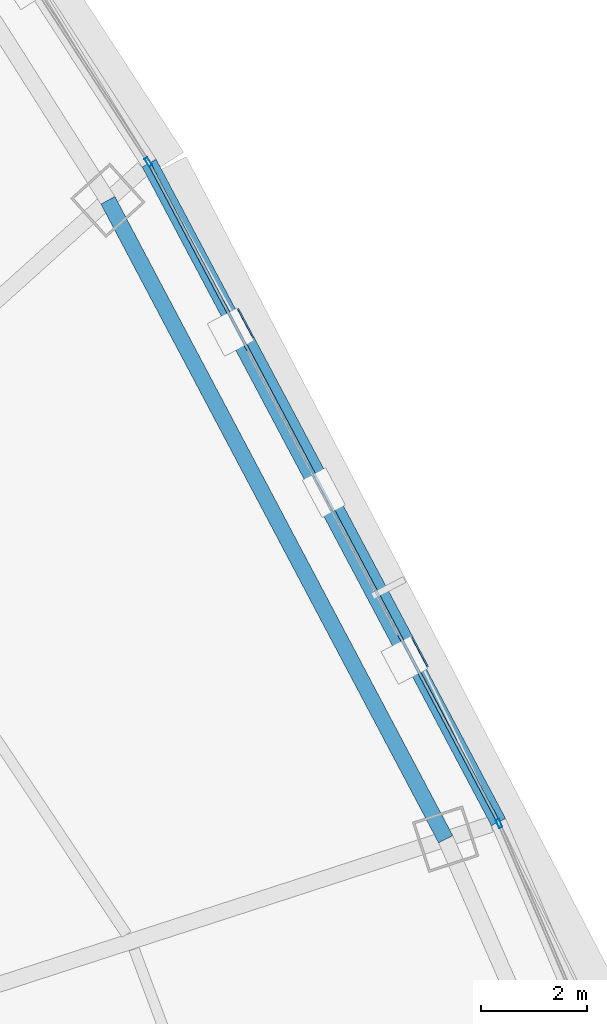
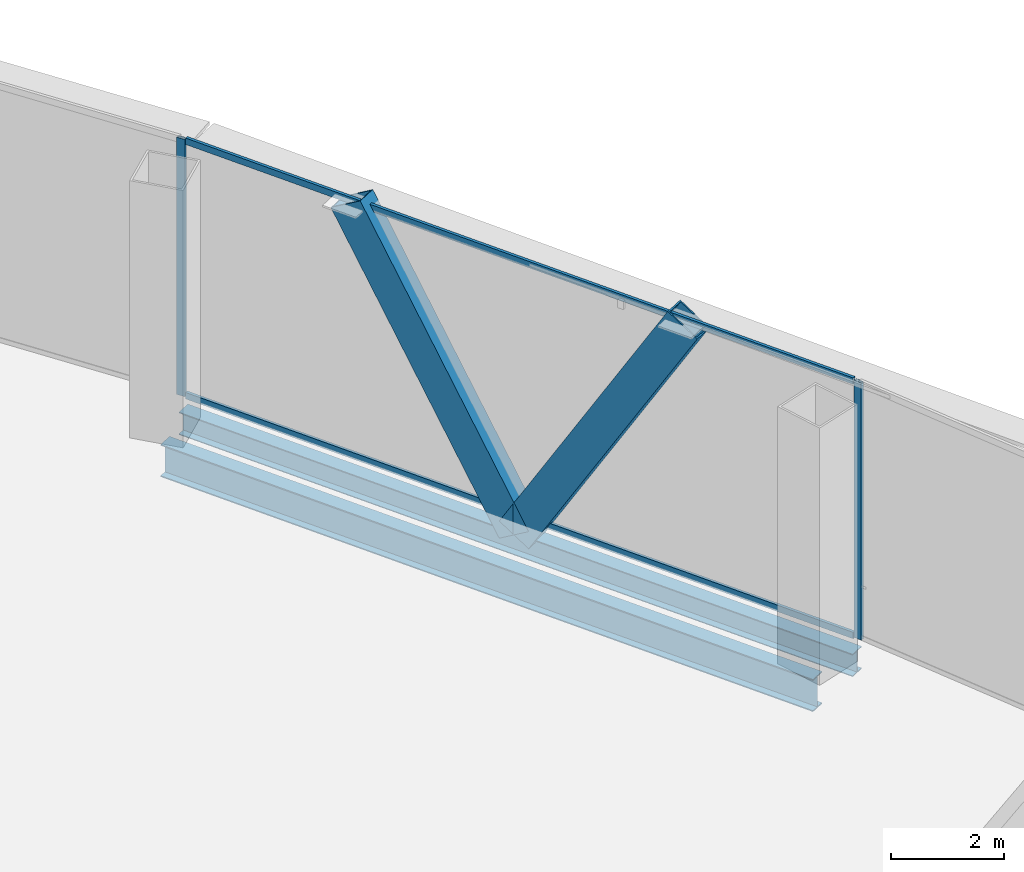
# One storey, part 23 of 36: 6 members, 2 beams, 3 elements without a shape of their own.
"""IFC4 building model written with IfcOpenShell, lengths in metres."""

from ifc_helpers import new_model, si_unit, direction, frame, origin, origin_2d, place, context, subcontext, project, spatial, hollow_rectangle, i_section, extrude, source, transform, mapped, material, layer, layer_set, material_profile, profile_set, type_object, element, aggregate, save


model = new_model("IFC4")

# Units and contexts
model_context = context("Model", 3, precision=1e-05, world=origin(), true_north=direction((0.0, 1.0)))
body_context = subcontext(model_context, "Body", "Model", "MODEL_VIEW")
ifc_project = project(units=[si_unit("LENGTHUNIT", "METRE"), si_unit("AREAUNIT", "SQUARE_METRE"), si_unit("VOLUMEUNIT", "CUBIC_METRE"), si_unit("PLANEANGLEUNIT", "RADIAN"), si_unit("MASSUNIT", "GRAM", prefix="KILO"), si_unit("THERMODYNAMICTEMPERATUREUNIT", "KELVIN"), si_unit("POWERUNIT", "WATT")], contexts=[model_context])

# Site, building, storey
site_placement = place(None, origin())
site = spatial("IfcSite", under=ifc_project, at=site_placement, CompositionType="ELEMENT")
building_placement = place(site_placement, origin())
building = spatial("IfcBuilding", under=site, at=building_placement, Name="Yunzhuo Pagoda Commons", CompositionType="ELEMENT")
storey_placement = place(building_placement, frame((0.0, 0.0, 119.179931640625)))
storey = spatial("IfcBuildingStorey", under=building, at=storey_placement, Name="L30", CompositionType="ELEMENT", Elevation=119.179931640625)

# Beams
ifc_material_1 = material(Name="Structural steel Q355B", Category="steel")
ifc_material_profile_1 = material_profile(ifc_material_1, i_section(OverallWidth=0.300048828125, OverallDepth=0.699951171875, WebThickness=0.012939453125, FlangeThickness=0.02392578125, at=origin_2d()), Name="Structural steel Q355B")
ifc_profile_set_1 = profile_set([ifc_material_profile_1], Name="Structural steel Q355B")
beam_type_1 = type_object("IfcBeamType", Name="B-RG1 Beam HN 700x300x13x24", PredefinedType="BEAM", material=ifc_profile_set_1)
shared_shape_1 = source(origin(), body_context, "Body", "SweptSolid", [
    extrude(i_section(OverallWidth=0.300048828125, OverallDepth=0.699951171875, WebThickness=0.012939453125, FlangeThickness=0.02392578125, at=origin_2d()), origin(), (0.0, 0.0, 1.0), 13.66748046875),
])
beam_1_placement = place(storey_placement, frame((78.99072265625, 43.76953125, -0.6298828125), z_axis=(-0.467383716456, 0.88405455804, 0.0), x_axis=(-0.88405455804, -0.467383716456, 0.0)))
element("IfcBeam", 1, at=beam_1_placement, inside=storey, type_object=beam_type_1, Name="L30 column-ring beam 6", PredefinedType="BEAM", context=body_context, shape_type="MappedRepresentation", body=[
    mapped(shared_shape_1, transform((0.0, 0.0, 0.0), scale=1.0)),
])
ifc_material_profile_2 = material_profile(ifc_material_1, i_section(OverallWidth=0.300048828125, OverallDepth=0.488037109375, WebThickness=0.010986328125, FlangeThickness=0.01806640625, at=origin_2d()), Name="Structural steel Q355B")
ifc_profile_set_2 = profile_set([ifc_material_profile_2], Name="Structural steel Q355B")
beam_type_2 = type_object("IfcBeamType", Name="B-SP1 Beam HM 488x300x11x18", PredefinedType="BEAM", material=ifc_profile_set_2)
shared_shape_2 = source(origin(), body_context, "Body", "SweptSolid", [
    extrude(i_section(OverallWidth=0.300048828125, OverallDepth=0.488037109375, WebThickness=0.010986328125, FlangeThickness=0.01806640625, at=origin_2d()), origin(), (0.0, 0.0, 1.0), 14.10400390625),
])
beam_2_placement = place(storey_placement, frame((79.989501953125, 44.093994140625, -0.52392578125), z_axis=(-0.468412556379, 0.883509862439, 0.0), x_axis=(-0.883509862439, -0.468412556379, 0.0)))
element("IfcBeam", 2, at=beam_2_placement, inside=storey, type_object=beam_type_2, Name="L30 facade edge spandrel beam F2.2", PredefinedType="BEAM", context=body_context, shape_type="MappedRepresentation", body=[
    mapped(shared_shape_2, transform((0.0, 0.0, 0.0), scale=1.0)),
])

# Members
ifc_material_2 = material(Name="Structural steel Q420B", Category="steel")
ifc_material_profile_3 = material_profile(ifc_material_2, hollow_rectangle(XDim=0.419921875, YDim=0.719970703125, WallThickness=0.028076171875, at=origin_2d()), Name="Structural steel Q420B")
ifc_profile_set_3 = profile_set([ifc_material_profile_3], Name="Structural steel Q420B")
member_type_1 = type_object("IfcMemberType", Name="M-DL1 Brace BOX 720x420x28", PredefinedType="BRACE", material=ifc_profile_set_3)
shared_shape_3 = source(origin(), body_context, "Body", "SweptSolid", [
    extrude(hollow_rectangle(XDim=0.419921875, YDim=0.719970703125, WallThickness=0.028076171875, at=origin_2d()), origin(), (0.0, 0.0, 1.0), 6.830322265625),
])
member_1_placement = place(storey_placement, frame((76.686279296875, 50.324462890625, -0.280029296875), z_axis=(0.241802336697, -0.45604671307, 0.856477101542), x_axis=(0.883494668945, 0.468441212902, 0.0)))
element("IfcMember", 3, at=member_1_placement, inside=storey, type_object=member_type_1, Name="L30 facade diamond brace F2.2L", PredefinedType="BRACE", context=body_context, shape_type="MappedRepresentation", body=[
    mapped(shared_shape_3, transform((0.0, 0.0, 0.0), scale=1.0)),
])
shared_shape_4 = source(origin(), body_context, "Body", "SweptSolid", [
    extrude(hollow_rectangle(XDim=0.419921875, YDim=0.719970703125, WallThickness=0.028076171875, at=origin_2d()), origin(), (0.0, 0.0, 1.0), 6.83056640625),
])
member_2_placement = place(storey_placement, frame((76.686279296875, 50.324462890625, -0.280029296875), z_axis=(-0.24179839513, 0.456075021709, 0.856463140296), x_axis=(-0.883509862439, -0.468412556379, 0.0)))
element("IfcMember", 4, at=member_2_placement, inside=storey, type_object=member_type_1, Name="L30 facade diamond brace F2.2R", PredefinedType="BRACE", context=body_context, shape_type="MappedRepresentation", body=[
    mapped(shared_shape_4, transform((0.0, 0.0, 0.0), scale=1.0)),
])

# Curtain wall, member
ifc_material_3 = material(Name="Anodized aluminium 6063-T6", Category="aluminium")
ifc_layer = layer(ifc_material_3, 0.1650390625)
ifc_layer_set = layer_set([ifc_layer], Name="Anodized aluminium 6063-T6")
curtain_wall_type = type_object("IfcCurtainWallType", Name="CW-LOW Low-Zone Ribbon Curtain Wall", PredefinedType="NOTDEFINED", material=ifc_layer_set)
curtain_wall_1_placement = place(storey_placement, origin())
curtain_wall_1 = element("IfcCurtainWall", 5, at=curtain_wall_1_placement, inside=storey, type_object=curtain_wall_type, Name="L30 curtain wall CW-L30-F2B2", PredefinedType="NOTDEFINED")
ifc_material_profile_4 = material_profile(ifc_material_3, hollow_rectangle(XDim=0.06494140625, YDim=0.1650390625, WallThickness=0.00390625, at=origin_2d()), Name="Anodized aluminium 6063-T6")
ifc_profile_set_4 = profile_set([ifc_material_profile_4], Name="Anodized aluminium 6063-T6")
member_type_2 = type_object("IfcMemberType", Name="CW-LOW-M Mullion RHS 165x65x4", PredefinedType="MULLION", material=ifc_profile_set_4)
shared_shape_5 = source(origin(), body_context, "Body", "SweptSolid", [
    extrude(hollow_rectangle(XDim=0.06494140625, YDim=0.1650390625, WallThickness=0.00390625, at=origin_2d()), origin(), (0.0, 0.0, 1.0), 5.570068359375),
])
member_3_placement = place(storey_placement, frame((80.002197265625, 44.064208984375, 0.0), z_axis=(0.0, 0.0, 1.0), x_axis=(-0.919788328925, -0.392414869716, 0.0)))
member_3 = element("IfcMember", 6, at=member_3_placement, type_object=member_type_2, Name="CW mullion 2", PredefinedType="MULLION", context=body_context, shape_type="MappedRepresentation", body=[
    mapped(shared_shape_5, transform((0.0, 0.0, 0.0), scale=1.0)),
])
aggregate(curtain_wall_1, [member_3])

curtain_wall_2_placement = place(storey_placement, origin())
curtain_wall_2 = element("IfcCurtainWall", 7, at=curtain_wall_2_placement, inside=storey, type_object=curtain_wall_type, Name="L30 curtain wall CW-L30-F2B4", PredefinedType="NOTDEFINED")
member_4_placement = place(storey_placement, frame((73.365234375, 56.582275390625, 0.0), z_axis=(0.0, 0.0, 1.0), x_axis=(-0.839174657882, -0.543862017031, 0.0)))
member_4 = element("IfcMember", 8, at=member_4_placement, type_object=member_type_2, Name="CW mullion 1", PredefinedType="MULLION", context=body_context, shape_type="MappedRepresentation", body=[
    mapped(shared_shape_5, transform((0.0, 0.0, 0.0), scale=1.0)),
])
aggregate(curtain_wall_2, [member_4])

# Curtain wall, members
curtain_wall_3_placement = place(storey_placement, origin())
curtain_wall_3 = element("IfcCurtainWall", 9, at=curtain_wall_3_placement, inside=storey, type_object=curtain_wall_type, Name="L30 curtain wall CW-L30-F2B3", PredefinedType="NOTDEFINED")
ifc_material_profile_5 = material_profile(ifc_material_3, hollow_rectangle(XDim=0.06005859375, YDim=0.139892578125, WallThickness=0.00341796875, at=origin_2d()), Name="Anodized aluminium 6063-T6")
ifc_profile_set_5 = profile_set([ifc_material_profile_5], Name="Anodized aluminium 6063-T6")
member_type_3 = type_object("IfcMemberType", Name="CW-LOW-T Transom RHS 140x60x3.5", PredefinedType="USERDEFINED", material=ifc_profile_set_5)
shared_shape_6 = source(origin(), body_context, "Body", "SweptSolid", [
    extrude(hollow_rectangle(XDim=0.06005859375, YDim=0.139892578125, WallThickness=0.00341796875, at=origin_2d()), origin(), (0.0, 0.0, 1.0), 13.97412109375),
])
member_5_placement = place(storey_placement, frame((79.958984375, 44.1513671875, 0.030029296875), z_axis=(-0.468415025268, 0.883508553497, 0.0), x_axis=(-0.883508553497, -0.468415025268, 0.0)))
member_5 = element("IfcMember", 10, at=member_5_placement, type_object=member_type_3, Name="CW transom 1.1", ObjectType="TRANSOM", PredefinedType="USERDEFINED", context=body_context, shape_type="MappedRepresentation", body=[
    mapped(shared_shape_6, transform((0.0, 0.0, 0.0), scale=1.0)),
])
member_6_placement = place(storey_placement, frame((79.958984375, 44.1513671875, 5.5400390625), z_axis=(-0.468415025268, 0.883508553497, 0.0), x_axis=(-0.883508553497, -0.468415025268, 0.0)))
member_6 = element("IfcMember", 11, at=member_6_placement, type_object=member_type_3, Name="CW transom 1.2", ObjectType="TRANSOM", PredefinedType="USERDEFINED", context=body_context, shape_type="MappedRepresentation", body=[
    mapped(shared_shape_6, transform((0.0, 0.0, 0.0), scale=1.0)),
])
aggregate(curtain_wall_3, [member_5, member_6])

save(model, "model.ifc")
